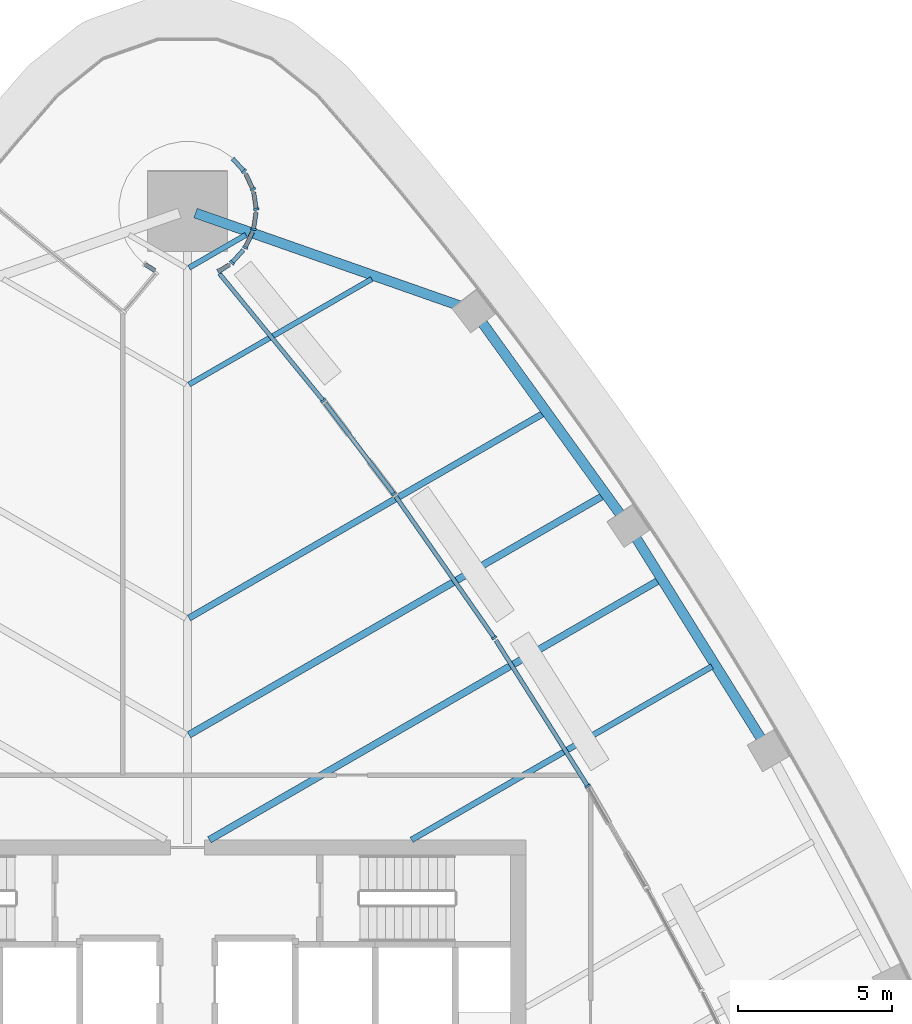
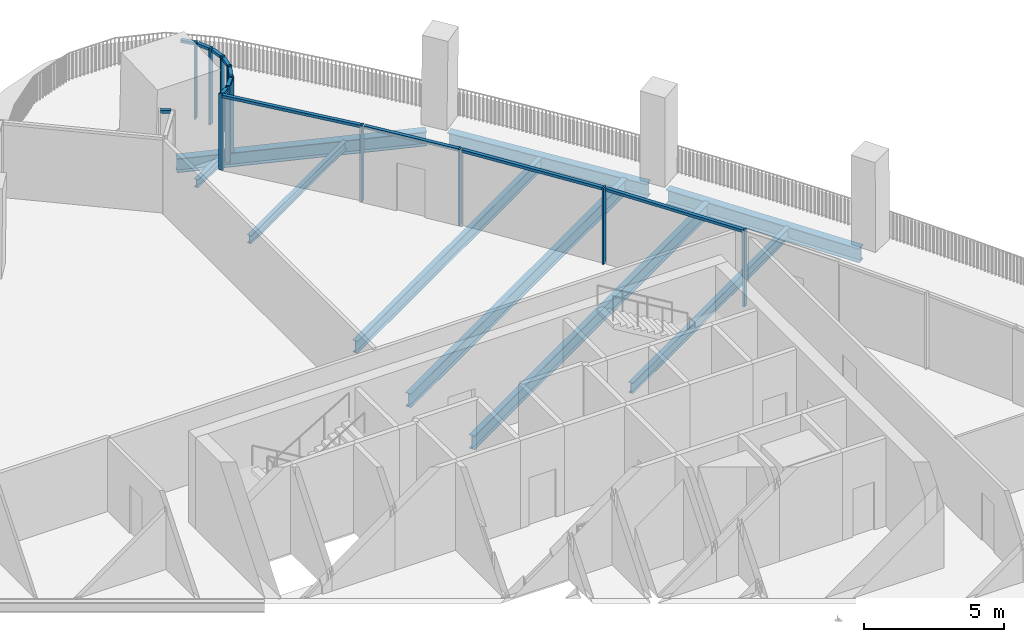
# One storey, part 7 of 22: 23 members, 9 beams, 12 elements without a shape of their own.
"""IFC4 building model written with IfcOpenShell, lengths in metres."""

from ifc_helpers import new_model, si_unit, direction, frame, origin, origin_2d, place, context, subcontext, project, spatial, rectangle, i_section, extrude, material, layer, layer_set, material_profile, profile_set, type_object, element, aggregate, save


model = new_model("IFC4")

# Units and contexts
model_context = context("Model", 3, precision=1e-05, world=origin(), true_north=direction((0.0, 1.0)))
body_context = subcontext(model_context, "Body", "Model", "MODEL_VIEW")
ifc_project = project(units=[si_unit("LENGTHUNIT", "METRE"), si_unit("AREAUNIT", "SQUARE_METRE"), si_unit("VOLUMEUNIT", "CUBIC_METRE"), si_unit("PLANEANGLEUNIT", "RADIAN"), si_unit("MASSUNIT", "GRAM", prefix="KILO")], contexts=[model_context])

# Site, building, storey
site_placement = place(None, origin())
site = spatial("IfcSite", under=ifc_project, at=site_placement, CompositionType="ELEMENT")
building_placement = place(site_placement, origin())
building = spatial("IfcBuilding", under=site, at=building_placement, Name="Sierra Prisma Convention Tower", CompositionType="ELEMENT")
storey_placement = place(building_placement, frame((0.0, 0.0, 141.800048828125)))
storey = spatial("IfcBuildingStorey", under=building, at=storey_placement, Name="L30", CompositionType="ELEMENT", Elevation=141.800048828125)

# Curtain wall, member
ifc_material_1 = material(Name="Aluminium and glass curtain wall", Category="aluminium")
ifc_layer = layer(ifc_material_1, 0.179931640625)
ifc_layer_set = layer_set([ifc_layer], Name="CW-6 Terrace recess curtain wall")
curtain_wall_type = type_object("IfcCurtainWallType", Name="CW-6 Terrace recess curtain wall", PredefinedType="NOTDEFINED", material=ifc_layer_set)
curtain_wall_1_placement = place(storey_placement, origin())
curtain_wall_1 = element("IfcCurtainWall", 1, at=curtain_wall_1_placement, inside=storey, type_object=curtain_wall_type, Name="CW-6 R7 L30", PredefinedType="NOTDEFINED")
ifc_material_2 = material(Name="Aluminium 6063-T6 bronze anodised", Category="aluminium")
ifc_material_profile_1 = material_profile(ifc_material_2, rectangle(XDim=0.179931640625, YDim=0.070068359375, at=origin_2d()), Name="ALU MULLION 70x180")
ifc_profile_set_1 = profile_set([ifc_material_profile_1], Name="Aluminium 6063-T6 bronze anodised")
member_type_1 = type_object("IfcMemberType", Name="CW mullion bronze", PredefinedType="MULLION", material=ifc_profile_set_1)
member_1_placement = place(storey_placement, frame((13.00732421875, 9.743896484375, 0.0), z_axis=(0.0, 0.0, 1.0), x_axis=(-0.846034194034, -0.533128636001, 0.0)))
member_1 = element("IfcMember", 2, at=member_1_placement, type_object=member_type_1, Name="CW-6 mullion R7.1", PredefinedType="MULLION", context=body_context, shape_type="SweptSolid", body=[
    extrude(rectangle(XDim=0.179931640625, YDim=0.070068359375, at=origin_2d()), origin(), (0.0, 0.0, 1.0), 3.33984375),
])

curtain_wall_2_placement = place(storey_placement, origin())
curtain_wall_2 = element("IfcCurtainWall", 3, at=curtain_wall_2_placement, inside=storey, type_object=curtain_wall_type, Name="CW-6 R8 L30", PredefinedType="NOTDEFINED")
member_2_placement = place(storey_placement, frame((9.967529296875, 14.56494140625, 0.0), z_axis=(0.0, 0.0, 1.0), x_axis=(-0.820375539689, -0.571825125261, 0.0)))
member_2 = element("IfcMember", 4, at=member_2_placement, type_object=member_type_1, Name="CW-6 mullion R8.1", PredefinedType="MULLION", context=body_context, shape_type="SweptSolid", body=[
    extrude(rectangle(XDim=0.179931640625, YDim=0.070068359375, at=origin_2d()), origin(), (0.0, 0.0, 1.0), 3.33984375),
])

curtain_wall_3_placement = place(storey_placement, origin())
curtain_wall_3 = element("IfcCurtainWall", 5, at=curtain_wall_3_placement, inside=storey, type_object=curtain_wall_type, Name="CW-6 R9 L30", PredefinedType="NOTDEFINED")
member_3_placement = place(storey_placement, frame((6.707275390625, 19.239501953125, 0.0), z_axis=(0.0, 0.0, 1.0), x_axis=(-0.79763988672, -0.603133991012, 0.0)))
member_3 = element("IfcMember", 6, at=member_3_placement, type_object=member_type_1, Name="CW-6 mullion R9.1", PredefinedType="MULLION", context=body_context, shape_type="SweptSolid", body=[
    extrude(rectangle(XDim=0.179931640625, YDim=0.070068359375, at=origin_2d()), origin(), (0.0, 0.0, 1.0), 3.33984375),
])

curtain_wall_4_placement = place(storey_placement, origin())
curtain_wall_4 = element("IfcCurtainWall", 7, at=curtain_wall_4_placement, inside=storey, type_object=curtain_wall_type, Name="CW-6 R10 L30", PredefinedType="NOTDEFINED")
member_4_placement = place(storey_placement, frame((4.41455078125, 22.26953125, 0.0), z_axis=(0.0, 0.0, 1.0), x_axis=(-0.774175593922, -0.632970891729, 0.0)))
member_4 = element("IfcMember", 8, at=member_4_placement, type_object=member_type_1, Name="CW-6 mullion R10.1", PredefinedType="MULLION", context=body_context, shape_type="SweptSolid", body=[
    extrude(rectangle(XDim=0.179931640625, YDim=0.070068359375, at=origin_2d()), origin(), (0.0, 0.0, 1.0), 3.33984375),
])

curtain_wall_5_placement = place(storey_placement, origin())
curtain_wall_5 = element("IfcCurtainWall", 9, at=curtain_wall_5_placement, inside=storey, type_object=curtain_wall_type, Name="CW-6 R11 L30", PredefinedType="NOTDEFINED")
member_5_placement = place(storey_placement, frame((1.022216796875, 26.4736328125, 0.0), z_axis=(0.0, 0.0, 1.0), x_axis=(-0.53885872076, 0.84239615328, 0.0)))
member_5 = element("IfcMember", 10, at=member_5_placement, type_object=member_type_1, Name="CW-6 mullion R11.1", PredefinedType="MULLION", context=body_context, shape_type="SweptSolid", body=[
    extrude(rectangle(XDim=0.179931640625, YDim=0.070068359375, at=origin_2d()), origin(), (0.0, 0.0, 1.0), 3.33984375),
])

curtain_wall_6_placement = place(storey_placement, origin())
curtain_wall_6 = element("IfcCurtainWall", 11, at=curtain_wall_6_placement, inside=storey, type_object=curtain_wall_type, Name="CW-6 R12 L30", PredefinedType="NOTDEFINED")
member_6_placement = place(storey_placement, frame((1.443603515625, 26.75390625, 0.0), z_axis=(0.0, 0.0, 1.0), x_axis=(-0.740951125355, 0.671558954847, 0.0)))
member_6 = element("IfcMember", 12, at=member_6_placement, type_object=member_type_1, Name="CW-6 mullion R12.1", PredefinedType="MULLION", context=body_context, shape_type="SweptSolid", body=[
    extrude(rectangle(XDim=0.179931640625, YDim=0.070068359375, at=origin_2d()), origin(), (0.0, 0.0, 1.0), 3.33984375),
])

curtain_wall_7_placement = place(storey_placement, origin())
curtain_wall_7 = element("IfcCurtainWall", 13, at=curtain_wall_7_placement, inside=storey, type_object=curtain_wall_type, Name="CW-6 R13 L30", PredefinedType="NOTDEFINED")
member_7_placement = place(storey_placement, frame((1.876220703125, 27.246337890625, 0.0), z_axis=(0.0, 0.0, 1.0), x_axis=(-0.903989293123, 0.42755509343, 0.0)))
member_7 = element("IfcMember", 14, at=member_7_placement, type_object=member_type_1, Name="CW-6 mullion R13.1", PredefinedType="MULLION", context=body_context, shape_type="SweptSolid", body=[
    extrude(rectangle(XDim=0.179931640625, YDim=0.070068359375, at=origin_2d()), origin(), (0.0, 0.0, 1.0), 3.33984375),
])

curtain_wall_8_placement = place(storey_placement, origin())
curtain_wall_8 = element("IfcCurtainWall", 15, at=curtain_wall_8_placement, inside=storey, type_object=curtain_wall_type, Name="CW-6 R14 L30", PredefinedType="NOTDEFINED")
member_8_placement = place(storey_placement, frame((2.147216796875, 27.84326171875, 0.0), z_axis=(0.0, 0.0, 1.0), x_axis=(-0.989176509965, 0.146730474455, 0.0)))
member_8 = element("IfcMember", 16, at=member_8_placement, type_object=member_type_1, Name="CW-6 mullion R14.1", PredefinedType="MULLION", context=body_context, shape_type="SweptSolid", body=[
    extrude(rectangle(XDim=0.179931640625, YDim=0.070068359375, at=origin_2d()), origin(), (0.0, 0.0, 1.0), 3.33984375),
])

curtain_wall_9_placement = place(storey_placement, origin())
curtain_wall_9 = element("IfcCurtainWall", 17, at=curtain_wall_9_placement, inside=storey, type_object=curtain_wall_type, Name="CW-6 R15 L30", PredefinedType="NOTDEFINED")
member_9_placement = place(storey_placement, frame((2.2333984375, 28.492919921875, 0.0), z_axis=(0.0, 0.0, 1.0), x_axis=(-0.989176509965, -0.146730474455, 0.0)))
member_9 = element("IfcMember", 18, at=member_9_placement, type_object=member_type_1, Name="CW-6 mullion R15.1", PredefinedType="MULLION", context=body_context, shape_type="SweptSolid", body=[
    extrude(rectangle(XDim=0.179931640625, YDim=0.070068359375, at=origin_2d()), origin(), (0.0, 0.0, 1.0), 3.33984375),
])

curtain_wall_10_placement = place(storey_placement, origin())
curtain_wall_10 = element("IfcCurtainWall", 19, at=curtain_wall_10_placement, inside=storey, type_object=curtain_wall_type, Name="CW-6 R16 L30", PredefinedType="NOTDEFINED")
member_10_placement = place(storey_placement, frame((2.127197265625, 29.139892578125, 0.0), z_axis=(0.0, 0.0, 1.0), x_axis=(-0.903989293123, -0.42755509343, 0.0)))
member_10 = element("IfcMember", 20, at=member_10_placement, type_object=member_type_1, Name="CW-6 mullion R16.1", PredefinedType="MULLION", context=body_context, shape_type="SweptSolid", body=[
    extrude(rectangle(XDim=0.179931640625, YDim=0.070068359375, at=origin_2d()), origin(), (0.0, 0.0, 1.0), 3.33984375),
])

curtain_wall_11_placement = place(storey_placement, origin())
curtain_wall_11 = element("IfcCurtainWall", 21, at=curtain_wall_11_placement, inside=storey, type_object=curtain_wall_type, Name="CW-6 R17 L30", PredefinedType="NOTDEFINED")
member_11_placement = place(storey_placement, frame((1.837646484375, 29.72802734375, 0.0), z_axis=(0.0, 0.0, 1.0), x_axis=(-0.740951125355, -0.671558954847, 0.0)))
member_11 = element("IfcMember", 22, at=member_11_placement, type_object=member_type_1, Name="CW-6 mullion R17.1", PredefinedType="MULLION", context=body_context, shape_type="SweptSolid", body=[
    extrude(rectangle(XDim=0.179931640625, YDim=0.070068359375, at=origin_2d()), origin(), (0.0, 0.0, 1.0), 3.33984375),
])

# Member
ifc_material_3 = material(Name="Aluminium 6063-T6 bronze anodised", Category="aluminium")
ifc_material_profile_2 = material_profile(ifc_material_3, rectangle(XDim=0.139892578125, YDim=0.1201171875, at=origin_2d()), Name="ALU TRANSOM 120x140")
ifc_profile_set_2 = profile_set([ifc_material_profile_2], Name="Aluminium 6063-T6 bronze anodised")
member_type_2 = type_object("IfcMemberType", Name="CW transom bronze", PredefinedType="USERDEFINED", material=ifc_profile_set_2)
member_12_placement = place(storey_placement, frame((12.988525390625, 9.7734375, 3.280029296875), z_axis=(-0.533102103795, 0.846050912729, 0.0), x_axis=(-0.846050912729, -0.533102103795, 0.0)))
member_12 = element("IfcMember", 23, at=member_12_placement, type_object=member_type_2, Name="CW-6 transom R7.1", ObjectType="TRANSOM", PredefinedType="USERDEFINED", context=body_context, shape_type="SweptSolid", body=[
    extrude(rectangle(XDim=0.139892578125, YDim=0.1201171875, at=origin_2d()), origin(), (0.0, 0.0, 1.0), 5.55908203125),
])

aggregate(curtain_wall_1, [member_1, member_12])

member_13_placement = place(storey_placement, frame((9.947509765625, 14.593505859375, 3.280029296875), z_axis=(-0.571819531608, 0.820379438596, 0.0), x_axis=(-0.820379438596, -0.571819531608, 0.0)))
member_13 = element("IfcMember", 24, at=member_13_placement, type_object=member_type_2, Name="CW-6 transom R8.1", ObjectType="TRANSOM", PredefinedType="USERDEFINED", context=body_context, shape_type="SweptSolid", body=[
    extrude(rectangle(XDim=0.139892578125, YDim=0.1201171875, at=origin_2d()), origin(), (0.0, 0.0, 1.0), 5.559326171875),
])

aggregate(curtain_wall_2, [member_2, member_13])

member_14_placement = place(storey_placement, frame((6.686279296875, 19.267578125, 3.280029296875), z_axis=(-0.603122768107, 0.797648372775, 0.0), x_axis=(-0.797648372775, -0.603122768107, 0.0)))
member_14 = element("IfcMember", 25, at=member_14_placement, type_object=member_type_2, Name="CW-6 transom R9.1", ObjectType="TRANSOM", PredefinedType="USERDEFINED", context=body_context, shape_type="SweptSolid", body=[
    extrude(rectangle(XDim=0.139892578125, YDim=0.1201171875, at=origin_2d()), origin(), (0.0, 0.0, 1.0), 3.65966796875),
])

aggregate(curtain_wall_3, [member_3, member_14])

member_15_placement = place(storey_placement, frame((4.392333984375, 22.296630859375, 3.280029296875), z_axis=(-0.632966879228, 0.77417887455, 0.0), x_axis=(-0.77417887455, -0.632966879228, 0.0)))
member_15 = element("IfcMember", 26, at=member_15_placement, type_object=member_type_2, Name="CW-6 transom R10.1", ObjectType="TRANSOM", PredefinedType="USERDEFINED", context=body_context, shape_type="SweptSolid", body=[
    extrude(rectangle(XDim=0.139892578125, YDim=0.1201171875, at=origin_2d()), origin(), (0.0, 0.0, 1.0), 5.30078125),
])

aggregate(curtain_wall_4, [member_4, member_15])

member_16_placement = place(storey_placement, frame((1.0517578125, 26.492431640625, 3.280029296875), z_axis=(0.842536990743, 0.538638486584, 0.0), x_axis=(-0.538638486584, 0.842536990743, 0.0)))
member_16 = element("IfcMember", 27, at=member_16_placement, type_object=member_type_2, Name="CW-6 transom R11.1", ObjectType="TRANSOM", PredefinedType="USERDEFINED", context=body_context, shape_type="SweptSolid", body=[
    extrude(rectangle(XDim=0.139892578125, YDim=0.1201171875, at=origin_2d()), origin(), (0.0, 0.0, 1.0), 0.3671875),
])

aggregate(curtain_wall_5, [member_5, member_16])

member_17_placement = place(storey_placement, frame((1.467041015625, 26.77978515625, 3.280029296875), z_axis=(0.671543733378, 0.740964921006, 0.0), x_axis=(-0.740964921006, 0.671543733378, 0.0)))
member_17 = element("IfcMember", 28, at=member_17_placement, type_object=member_type_2, Name="CW-6 transom R12.1", ObjectType="TRANSOM", PredefinedType="USERDEFINED", context=body_context, shape_type="SweptSolid", body=[
    extrude(rectangle(XDim=0.139892578125, YDim=0.1201171875, at=origin_2d()), origin(), (0.0, 0.0, 1.0), 0.51708984375),
])

aggregate(curtain_wall_6, [member_6, member_17])

member_18_placement = place(storey_placement, frame((1.89111328125, 27.278076171875, 3.280029296875), z_axis=(0.427456826475, 0.904035763396, 0.0), x_axis=(-0.904035763396, 0.427456826475, 0.0)))
member_18 = element("IfcMember", 29, at=member_18_placement, type_object=member_type_2, Name="CW-6 transom R13.1", ObjectType="TRANSOM", PredefinedType="USERDEFINED", context=body_context, shape_type="SweptSolid", body=[
    extrude(rectangle(XDim=0.139892578125, YDim=0.1201171875, at=origin_2d()), origin(), (0.0, 0.0, 1.0), 0.516845703125),
])

aggregate(curtain_wall_7, [member_7, member_18])

member_19_placement = place(storey_placement, frame((2.15234375, 27.8779296875, 3.280029296875), z_axis=(0.146908162528, 0.989150136118, 0.0), x_axis=(-0.989150136118, 0.146908162528, 0.0)))
member_19 = element("IfcMember", 30, at=member_19_placement, type_object=member_type_2, Name="CW-6 transom R14.1", ObjectType="TRANSOM", PredefinedType="USERDEFINED", context=body_context, shape_type="SweptSolid", body=[
    extrude(rectangle(XDim=0.139892578125, YDim=0.1201171875, at=origin_2d()), origin(), (0.0, 0.0, 1.0), 0.516845703125),
])

aggregate(curtain_wall_8, [member_8, member_19])

member_20_placement = place(storey_placement, frame((2.228271484375, 28.527587890625, 3.280029296875), z_axis=(-0.146908162528, 0.989150136118, 0.0), x_axis=(-0.989150136118, -0.146908162528, 0.0)))
member_20 = element("IfcMember", 31, at=member_20_placement, type_object=member_type_2, Name="CW-6 transom R15.1", ObjectType="TRANSOM", PredefinedType="USERDEFINED", context=body_context, shape_type="SweptSolid", body=[
    extrude(rectangle(XDim=0.139892578125, YDim=0.1201171875, at=origin_2d()), origin(), (0.0, 0.0, 1.0), 0.516845703125),
])

aggregate(curtain_wall_9, [member_9, member_20])

member_21_placement = place(storey_placement, frame((2.112060546875, 29.17138671875, 3.280029296875), z_axis=(-0.427456826475, 0.904035763396, 0.0), x_axis=(-0.904035763396, -0.427456826475, 0.0)))
member_21 = element("IfcMember", 32, at=member_21_placement, type_object=member_type_2, Name="CW-6 transom R16.1", ObjectType="TRANSOM", PredefinedType="USERDEFINED", context=body_context, shape_type="SweptSolid", body=[
    extrude(rectangle(XDim=0.139892578125, YDim=0.1201171875, at=origin_2d()), origin(), (0.0, 0.0, 1.0), 0.516845703125),
])

aggregate(curtain_wall_10, [member_10, member_21])

member_22_placement = place(storey_placement, frame((1.814208984375, 29.75390625, 3.280029296875), z_axis=(-0.671543733378, 0.740964921006, 0.0), x_axis=(-0.740964921006, -0.671543733378, 0.0)))
member_22 = element("IfcMember", 33, at=member_22_placement, type_object=member_type_2, Name="CW-6 transom R17.1", ObjectType="TRANSOM", PredefinedType="USERDEFINED", context=body_context, shape_type="SweptSolid", body=[
    extrude(rectangle(XDim=0.139892578125, YDim=0.1201171875, at=origin_2d()), origin(), (0.0, 0.0, 1.0), 0.51708984375),
])

aggregate(curtain_wall_11, [member_11, member_22])

# Curtain wall, member
curtain_wall_12_placement = place(storey_placement, origin())
curtain_wall_12 = element("IfcCurtainWall", 34, at=curtain_wall_12_placement, inside=storey, type_object=curtain_wall_type, Name="CW-6 R34 L30", PredefinedType="NOTDEFINED")
member_23_placement = place(storey_placement, frame((-1.361083984375, 26.690185546875, 3.280029296875), z_axis=(0.842536990743, -0.538638486584, 0.0), x_axis=(0.538638486584, 0.842536990743, 0.0)))
member_23 = element("IfcMember", 35, at=member_23_placement, type_object=member_type_2, Name="CW-6 transom R34.1", ObjectType="TRANSOM", PredefinedType="USERDEFINED", context=body_context, shape_type="SweptSolid", body=[
    extrude(rectangle(XDim=0.139892578125, YDim=0.1201171875, at=origin_2d()), origin(), (0.0, 0.0, 1.0), 0.3671875),
])
aggregate(curtain_wall_12, [member_23])

# Beams
ifc_material_4 = material(Name="Steel ASTM A992 Gr 50", Category="steel")
ifc_material_profile_3 = material_profile(ifc_material_4, i_section(OverallWidth=0.172119140625, OverallDepth=0.35791015625, WebThickness=0.0078125, FlangeThickness=0.01318359375, at=origin_2d()), Name="W360x57")
ifc_profile_set_3 = profile_set([ifc_material_profile_3], Name="Steel ASTM A992 Gr 50")
beam_type_1 = type_object("IfcBeamType", Name="Floor joist W360x57", PredefinedType="JOIST", material=ifc_profile_set_3)
beam_1_placement = place(storey_placement, frame((5.989501953125, 26.224853515625, -0.47900390625), z_axis=(-0.86602610211, -0.499998790464, 0.0), x_axis=(0.499998790464, -0.86602610211, 0.0)))
element("IfcBeam", 36, at=beam_1_placement, inside=storey, type_object=beam_type_1, Name="Floor joist L30 NE14", PredefinedType="JOIST", context=body_context, shape_type="SweptSolid", body=[
    extrude(i_section(OverallWidth=0.172119140625, OverallDepth=0.35791015625, WebThickness=0.0078125, FlangeThickness=0.01318359375, at=origin_2d()), origin(), (0.0, 0.0, 1.0), 6.857421875),
])
beam_2_placement = place(storey_placement, frame((1.901611328125, 27.6591796875, -0.3291015625), z_axis=(-0.866020080793, -0.500009219579, 0.0), x_axis=(0.500009219579, -0.866020080793, 0.0)))
element("IfcBeam", 37, at=beam_2_placement, inside=storey, type_object=beam_type_1, Name="Floor joist L30 NE15", PredefinedType="JOIST", context=body_context, shape_type="SweptSolid", body=[
    extrude(i_section(OverallWidth=0.172119140625, OverallDepth=0.35791015625, WebThickness=0.0078125, FlangeThickness=0.01318359375, at=origin_2d()), origin(), (0.0, 0.0, 1.0), 2.13720703125),
])
ifc_material_5 = material(Name="Steel ASTM A992 Gr 50", Category="steel")
ifc_material_profile_4 = material_profile(ifc_material_5, i_section(OverallWidth=0.18994140625, OverallDepth=0.45703125, WebThickness=0.009033203125, FlangeThickness=0.014404296875, at=origin_2d()), Name="W460x74")
ifc_profile_set_4 = profile_set([ifc_material_profile_4], Name="Steel ASTM A992 Gr 50")
beam_type_2 = type_object("IfcBeamType", Name="Floor joist W460x74", PredefinedType="JOIST", material=ifc_profile_set_4)
beam_3_placement = place(storey_placement, frame((17.045654296875, 13.6357421875, -0.528564453125), z_axis=(-0.86602724031, -0.499996819031, 0.0), x_axis=(0.499996819031, -0.86602724031, 0.0)))
element("IfcBeam", 38, at=beam_3_placement, inside=storey, type_object=beam_type_2, Name="Floor joist L30 NE09", PredefinedType="JOIST", context=body_context, shape_type="SweptSolid", body=[
    extrude(i_section(OverallWidth=0.18994140625, OverallDepth=0.45703125, WebThickness=0.009033203125, FlangeThickness=0.014404296875, at=origin_2d()), origin(), (0.0, 0.0, 1.0), 11.271484375),
])
ifc_material_6 = material(Name="Steel ASTM A992 Gr 50", Category="steel")
ifc_material_profile_5 = material_profile(ifc_material_6, i_section(OverallWidth=0.208984375, OverallDepth=0.532958984375, WebThickness=0.01025390625, FlangeThickness=0.015625, at=origin_2d()), Name="W530x92")
ifc_profile_set_5 = profile_set([ifc_material_profile_5], Name="Steel ASTM A992 Gr 50")
beam_type_3 = type_object("IfcBeamType", Name="Floor joist W530x92", PredefinedType="JOIST", material=ifc_profile_set_5)
beam_4_placement = place(storey_placement, frame((11.564697265625, 21.854736328125, -0.566650390625), z_axis=(-0.866020760464, -0.50000804238, 0.0), x_axis=(0.50000804238, -0.866020760464, 0.0)))
element("IfcBeam", 39, at=beam_4_placement, inside=storey, type_object=beam_type_3, Name="Floor joist L30 NE12", PredefinedType="JOIST", context=body_context, shape_type="SweptSolid", body=[
    extrude(i_section(OverallWidth=0.208984375, OverallDepth=0.532958984375, WebThickness=0.01025390625, FlangeThickness=0.015625, at=origin_2d()), origin(), (0.0, 0.0, 1.0), 13.295166015625),
])
ifc_material_7 = material(Name="Steel ASTM A992 Gr 50", Category="steel")
ifc_material_profile_6 = material_profile(ifc_material_7, i_section(OverallWidth=0.22802734375, OverallDepth=0.60302734375, WebThickness=0.010498046875, FlangeThickness=0.014892578125, at=origin_2d()), Name="W610x101")
ifc_profile_set_6 = profile_set([ifc_material_profile_6], Name="Steel ASTM A992 Gr 50")
beam_type_4 = type_object("IfcBeamType", Name="Floor joist W610x101", PredefinedType="JOIST", material=ifc_profile_set_6)
beam_5_placement = place(storey_placement, frame((15.307373046875, 16.426513671875, -0.6015625), z_axis=(-0.866026368493, -0.499998329071, 0.0), x_axis=(0.499998329071, -0.866026368493, 0.0)))
element("IfcBeam", 40, at=beam_5_placement, inside=storey, type_object=beam_type_4, Name="Floor joist L30 NE10", PredefinedType="JOIST", context=body_context, shape_type="SweptSolid", body=[
    extrude(i_section(OverallWidth=0.22802734375, OverallDepth=0.60302734375, WebThickness=0.010498046875, FlangeThickness=0.014892578125, at=origin_2d()), origin(), (0.0, 0.0, 1.0), 16.85302734375),
])
beam_6_placement = place(storey_placement, frame((13.494873046875, 19.174560546875, -0.6015625), z_axis=(-0.866025044723, -0.500000621913, 0.0), x_axis=(0.500000621913, -0.866025044723, 0.0)))
element("IfcBeam", 41, at=beam_6_placement, inside=storey, type_object=beam_type_4, Name="Floor joist L30 NE11", PredefinedType="JOIST", context=body_context, shape_type="SweptSolid", body=[
    extrude(i_section(OverallWidth=0.22802734375, OverallDepth=0.60302734375, WebThickness=0.010498046875, FlangeThickness=0.014892578125, at=origin_2d()), origin(), (0.0, 0.0, 1.0), 15.52392578125),
])
ifc_material_8 = material(Name="Steel ASTM A992 Gr 50", Category="steel")
ifc_material_profile_7 = material_profile(ifc_material_8, i_section(OverallWidth=0.324951171875, OverallDepth=0.615966796875, WebThickness=0.013916015625, FlangeThickness=0.021484375, at=origin_2d()), Name="W610x174")
ifc_profile_set_7 = profile_set([ifc_material_profile_7], Name="Steel ASTM A992 Gr 50")
beam_type_5 = type_object("IfcBeamType", Name="Spandrel beam W610x174", PredefinedType="BEAM", material=ifc_profile_set_7)
for number, where, z_axis, x_axis, name in (
    (42, (18.6806640625, 11.22412109375, -0.608154296875), (-0.528748731855, 0.848778403685, 0.0), (-0.848778403685, -0.528748731855, 0.0), "Spandrel L30-10"),
    (43, (14.106689453125, 18.518310546875, -0.608154296875), (-0.584452192516, 0.811428145102, 0.0), (-0.811428145102, -0.584452192516, 0.0), "Spandrel L30-11"),
):
    element("IfcBeam", number, at=place(storey_placement, frame(where, z_axis=z_axis, x_axis=x_axis)), inside=storey, type_object=beam_type_5, Name=name, PredefinedType="BEAM", context=body_context, shape_type="SweptSolid", body=[
        extrude(i_section(OverallWidth=0.324951171875, OverallDepth=0.615966796875, WebThickness=0.013916015625, FlangeThickness=0.021484375, at=origin_2d()), origin(), (0.0, 0.0, 1.0), 7.849853515625),
    ])
beam_7_placement = place(storey_placement, frame((8.847412109375, 25.35400390625, -0.608154296875), z_axis=(-0.943597923622, 0.331093579728, 0.0), x_axis=(-0.331093579728, -0.943597923622, 0.0)))
element("IfcBeam", 44, at=beam_7_placement, inside=storey, type_object=beam_type_5, Name="Spandrel L30-12", PredefinedType="BEAM", context=body_context, shape_type="SweptSolid", body=[
    extrude(i_section(OverallWidth=0.324951171875, OverallDepth=0.615966796875, WebThickness=0.013916015625, FlangeThickness=0.021484375, at=origin_2d()), origin(), (0.0, 0.0, 1.0), 9.1005859375),
])

save(model, "model.ifc")
